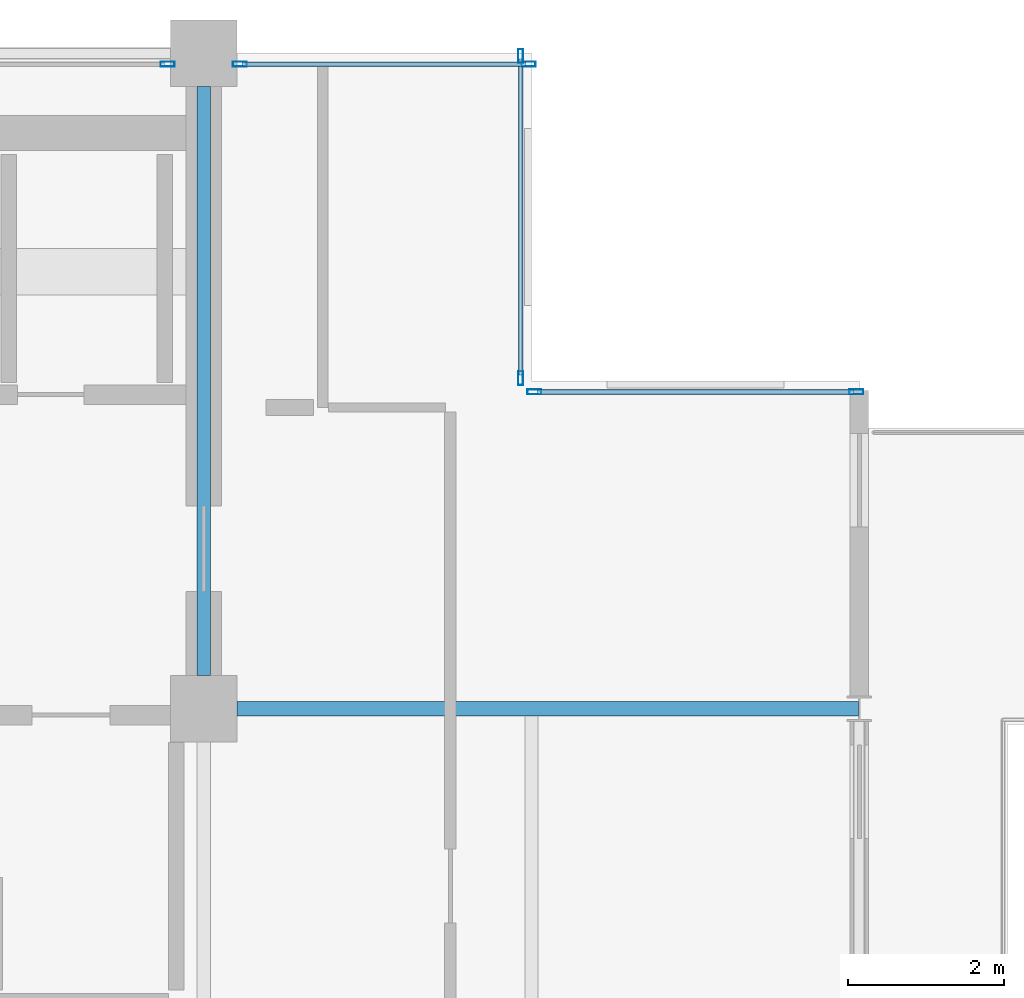
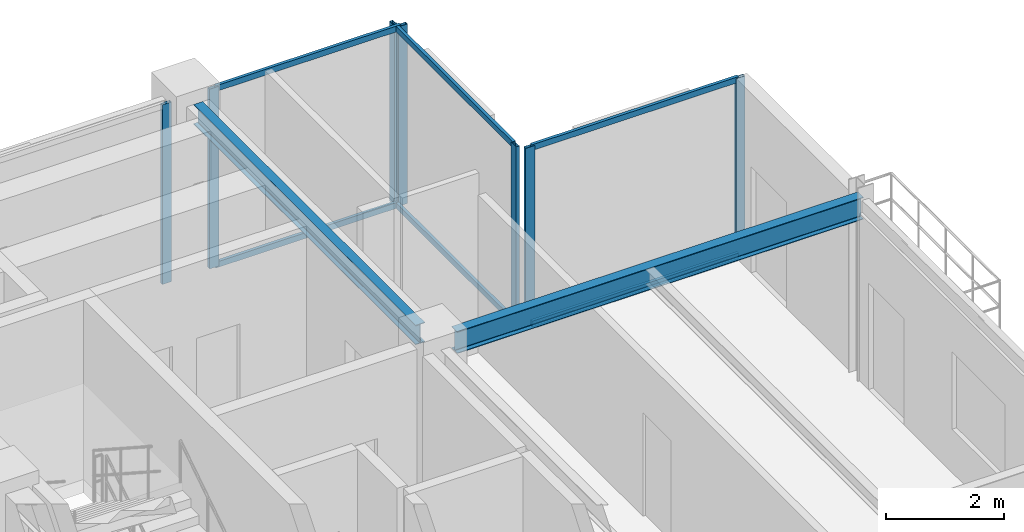
# One storey, part 19 of 26: 13 members, 2 beams, 4 elements without a shape of their own.
"""IFC4 building model written with IfcOpenShell, lengths in metres."""

from ifc_helpers import new_model, si_unit, direction, frame, origin, origin_2d, place, context, subcontext, project, spatial, hollow_rectangle, i_section, extrude, material, layer, layer_set, material_profile, profile_set, type_object, element, aggregate, save


model = new_model("IFC4")

# Units and contexts
model_context = context("Model", 3, precision=1e-05, world=origin(), true_north=direction((0.0, 1.0)))
body_context = subcontext(model_context, "Body", "Model", "MODEL_VIEW")
ifc_project = project(units=[si_unit("LENGTHUNIT", "METRE"), si_unit("AREAUNIT", "SQUARE_METRE"), si_unit("VOLUMEUNIT", "CUBIC_METRE"), si_unit("PLANEANGLEUNIT", "RADIAN"), si_unit("MASSUNIT", "GRAM", prefix="KILO")], contexts=[model_context])

# Site, building, storey
site_placement = place(None, origin())
site = spatial("IfcSite", under=ifc_project, at=site_placement, CompositionType="ELEMENT")
building_placement = place(site_placement, origin())
building = spatial("IfcBuilding", under=site, at=building_placement, Name="Nerrivon Quay Data Exchange", CompositionType="ELEMENT")
storey_placement = place(building_placement, frame((0.0, 0.0, 258.199951171875)))
storey = spatial("IfcBuildingStorey", under=building, at=storey_placement, Name="L61", CompositionType="ELEMENT", Elevation=258.199951171875)

# Beams
ifc_material_1 = material(Name="Steel Grade 350", Category="steel")
ifc_material_profile_1 = material_profile(ifc_material_1, i_section(OverallWidth=0.18994140625, OverallDepth=0.4541015625, WebThickness=0.008544921875, FlangeThickness=0.0126953125, FilletRadius=0.011474609375, at=origin_2d()), Name="460UB67.1")
ifc_profile_set_1 = profile_set([ifc_material_profile_1], Name="Steel Grade 350")
beam_type_1 = type_object("IfcBeamType", Name="BM-G6-460UB67", PredefinedType="BEAM", material=ifc_profile_set_1)
beam_1_placement = place(storey_placement, frame((17.22509765625, 33.60009765625, 3.498046875), z_axis=(1.0, 0.0, 0.0), x_axis=(0.0, 1.0, 0.0)))
element("IfcBeam", 1, at=beam_1_placement, inside=storey, type_object=beam_type_1, Name="L61 EW Girder Y=33.6 (16.8..25.2)", PredefinedType="BEAM", context=body_context, shape_type="SweptSolid", body=[
    extrude(i_section(OverallWidth=0.18994140625, OverallDepth=0.4541015625, WebThickness=0.008544921875, FlangeThickness=0.0126953125, FilletRadius=0.011474609375, at=origin_2d()), origin(), (0.0, 0.0, 1.0), 7.967041015625),
])
ifc_material_profile_2 = material_profile(ifc_material_1, i_section(OverallWidth=0.177978515625, OverallDepth=0.406005859375, WebThickness=0.0078125, FlangeThickness=0.0126953125, FilletRadius=0.011474609375, at=origin_2d()), Name="410UB59.7")
ifc_profile_set_2 = profile_set([ifc_material_profile_2], Name="Steel Grade 350")
beam_type_2 = type_object("IfcBeamType", Name="BM-J1-410UB60", PredefinedType="JOIST", material=ifc_profile_set_2)
beam_2_placement = place(storey_placement, frame((16.800048828125, 34.02490234375, 3.52197265625), z_axis=(0.0, 1.0, 0.0), x_axis=(-1.0, 0.0, 0.0)))
element("IfcBeam", 2, at=beam_2_placement, inside=storey, type_object=beam_type_2, Name="L61 NS Girder X=16.8 (33.6..42.0)", PredefinedType="JOIST", context=body_context, shape_type="SweptSolid", body=[
    extrude(i_section(OverallWidth=0.177978515625, OverallDepth=0.406005859375, WebThickness=0.0078125, FlangeThickness=0.0126953125, FilletRadius=0.011474609375, at=origin_2d()), origin(), (0.0, 0.0, 1.0), 7.550048828125),
])

# Curtain wall, member
ifc_material_2 = material(Name="Anodised aluminium 6063-T6", Category="aluminium")
ifc_layer = layer(ifc_material_2, 0.195068359375)
ifc_layer_set = layer_set([ifc_layer], Name="Anodised aluminium 6063-T6")
curtain_wall_type = type_object("IfcCurtainWallType", Name="CW-SYS-06", PredefinedType="NOTDEFINED", material=ifc_layer_set)
curtain_wall_1_placement = place(storey_placement, origin())
curtain_wall_1 = element("IfcCurtainWall", 3, at=curtain_wall_1_placement, inside=storey, type_object=curtain_wall_type, Name="L61 Unitised Curtain Wall 18", PredefinedType="NOTDEFINED")
ifc_material_profile_3 = material_profile(ifc_material_2, hollow_rectangle(XDim=0.06494140625, YDim=0.179931640625, WallThickness=0.00341796875, at=origin_2d()), Name="ALU-MULL-180x65")
ifc_profile_set_3 = profile_set([ifc_material_profile_3], Name="Anodised aluminium 6063-T6")
member_type_1 = type_object("IfcMemberType", Name="CWM-180x65", PredefinedType="MULLION", material=ifc_profile_set_3)
member_1_placement = place(storey_placement, frame((16.33740234375, 41.860107421875, 0.0), z_axis=(0.0, 0.0, 1.0), x_axis=(0.0, 1.0, 0.0)))
member_1 = element("IfcMember", 4, at=member_1_placement, type_object=member_type_1, Name="CW06 mullion 2", PredefinedType="MULLION", context=body_context, shape_type="SweptSolid", body=[
    extrude(hollow_rectangle(XDim=0.06494140625, YDim=0.179931640625, WallThickness=0.00341796875, at=origin_2d()), origin(), (0.0, 0.0, 1.0), 3.72509765625),
])
aggregate(curtain_wall_1, [member_1])

# Curtain wall, members
curtain_wall_2_placement = place(storey_placement, origin())
curtain_wall_2 = element("IfcCurtainWall", 5, at=curtain_wall_2_placement, inside=storey, type_object=curtain_wall_type, Name="L61 Unitised Curtain Wall 19", PredefinedType="NOTDEFINED")
member_2_placement = place(storey_placement, frame((17.262451171875, 41.860107421875, 0.0), z_axis=(0.0, 0.0, 1.0), x_axis=(0.0, 1.0, 0.0)))
member_2 = element("IfcMember", 6, at=member_2_placement, type_object=member_type_1, Name="CW06 mullion 1", PredefinedType="MULLION", context=body_context, shape_type="SweptSolid", body=[
    extrude(hollow_rectangle(XDim=0.06494140625, YDim=0.179931640625, WallThickness=0.00341796875, at=origin_2d()), origin(), (0.0, 0.0, 1.0), 3.72509765625),
])
member_3_placement = place(storey_placement, frame((20.96240234375, 41.860107421875, 0.0), z_axis=(0.0, 0.0, 1.0), x_axis=(0.0, 1.0, 0.0)))
member_3 = element("IfcMember", 7, at=member_3_placement, type_object=member_type_1, Name="CW06 mullion 2", PredefinedType="MULLION", context=body_context, shape_type="SweptSolid", body=[
    extrude(hollow_rectangle(XDim=0.06494140625, YDim=0.179931640625, WallThickness=0.00341796875, at=origin_2d()), origin(), (0.0, 0.0, 1.0), 3.72509765625),
])

curtain_wall_3_placement = place(storey_placement, origin())
curtain_wall_3 = element("IfcCurtainWall", 8, at=curtain_wall_3_placement, inside=storey, type_object=curtain_wall_type, Name="L61 Unitised Curtain Wall 20", PredefinedType="NOTDEFINED")
member_4_placement = place(storey_placement, frame((20.860107421875, 41.96240234375, 0.0), z_axis=(0.0, 0.0, 1.0), x_axis=(1.0, 0.0, 0.0)))
member_4 = element("IfcMember", 9, at=member_4_placement, type_object=member_type_1, Name="CW06 mullion 1", PredefinedType="MULLION", context=body_context, shape_type="SweptSolid", body=[
    extrude(hollow_rectangle(XDim=0.06494140625, YDim=0.179931640625, WallThickness=0.00341796875, at=origin_2d()), origin(), (0.0, 0.0, 1.0), 3.72509765625),
])
member_5_placement = place(storey_placement, frame((20.860107421875, 37.83740234375, 0.0), z_axis=(0.0, 0.0, 1.0), x_axis=(1.0, 0.0, 0.0)))
member_5 = element("IfcMember", 10, at=member_5_placement, type_object=member_type_1, Name="CW06 mullion 2", PredefinedType="MULLION", context=body_context, shape_type="SweptSolid", body=[
    extrude(hollow_rectangle(XDim=0.06494140625, YDim=0.179931640625, WallThickness=0.00341796875, at=origin_2d()), origin(), (0.0, 0.0, 1.0), 3.72509765625),
])

curtain_wall_4_placement = place(storey_placement, origin())
curtain_wall_4 = element("IfcCurtainWall", 11, at=curtain_wall_4_placement, inside=storey, type_object=curtain_wall_type, Name="L61 Unitised Curtain Wall 21", PredefinedType="NOTDEFINED")
member_6_placement = place(storey_placement, frame((21.03759765625, 37.659912109375, 0.0), z_axis=(0.0, 0.0, 1.0), x_axis=(0.0, 1.0, 0.0)))
member_6 = element("IfcMember", 12, at=member_6_placement, type_object=member_type_1, Name="CW06 mullion 1", PredefinedType="MULLION", context=body_context, shape_type="SweptSolid", body=[
    extrude(hollow_rectangle(XDim=0.06494140625, YDim=0.179931640625, WallThickness=0.00341796875, at=origin_2d()), origin(), (0.0, 0.0, 1.0), 3.72509765625),
])
member_7_placement = place(storey_placement, frame((25.16259765625, 37.659912109375, 0.0), z_axis=(0.0, 0.0, 1.0), x_axis=(0.0, 1.0, 0.0)))
member_7 = element("IfcMember", 13, at=member_7_placement, type_object=member_type_1, Name="CW06 mullion 2", PredefinedType="MULLION", context=body_context, shape_type="SweptSolid", body=[
    extrude(hollow_rectangle(XDim=0.06494140625, YDim=0.179931640625, WallThickness=0.00341796875, at=origin_2d()), origin(), (0.0, 0.0, 1.0), 3.72509765625),
])

# Member
ifc_material_profile_4 = material_profile(ifc_material_2, hollow_rectangle(XDim=0.06005859375, YDim=0.1201171875, WallThickness=0.003173828125, at=origin_2d()), Name="ALU-TRAN-120x60")
ifc_profile_set_4 = profile_set([ifc_material_profile_4], Name="Anodised aluminium 6063-T6")
member_type_2 = type_object("IfcMemberType", Name="CWT-120x60", PredefinedType="USERDEFINED", material=ifc_profile_set_4)
member_8_placement = place(storey_placement, frame((17.300048828125, 41.860107421875, 0.032470703125), z_axis=(1.0, 0.0, 0.0), x_axis=(0.0, 1.0, 0.0)))
member_8 = element("IfcMember", 14, at=member_8_placement, type_object=member_type_2, Name="CW06 transom 1.1", ObjectType="TRANSOM", PredefinedType="USERDEFINED", context=body_context, shape_type="SweptSolid", body=[
    extrude(hollow_rectangle(XDim=0.06005859375, YDim=0.1201171875, WallThickness=0.003173828125, at=origin_2d()), origin(), (0.0, 0.0, 1.0), 3.625),
])

member_9_placement = place(storey_placement, frame((17.300048828125, 41.860107421875, 3.692626953125), z_axis=(1.0, 0.0, 0.0), x_axis=(0.0, 1.0, 0.0)))
member_9 = element("IfcMember", 15, at=member_9_placement, type_object=member_type_2, Name="CW06 transom 1.2", ObjectType="TRANSOM", PredefinedType="USERDEFINED", context=body_context, shape_type="SweptSolid", body=[
    extrude(hollow_rectangle(XDim=0.06005859375, YDim=0.1201171875, WallThickness=0.003173828125, at=origin_2d()), origin(), (0.0, 0.0, 1.0), 3.625),
])

aggregate(curtain_wall_2, [member_2, member_3, member_8, member_9])

member_10_placement = place(storey_placement, frame((20.860107421875, 41.925048828125, 0.032470703125), z_axis=(0.0, -1.0, 0.0), x_axis=(1.0, 0.0, 0.0)))
member_10 = element("IfcMember", 16, at=member_10_placement, type_object=member_type_2, Name="CW06 transom 1.1", ObjectType="TRANSOM", PredefinedType="USERDEFINED", context=body_context, shape_type="SweptSolid", body=[
    extrude(hollow_rectangle(XDim=0.06005859375, YDim=0.1201171875, WallThickness=0.003173828125, at=origin_2d()), origin(), (0.0, 0.0, 1.0), 4.050048828125),
])

member_11_placement = place(storey_placement, frame((20.860107421875, 41.925048828125, 3.692626953125), z_axis=(0.0, -1.0, 0.0), x_axis=(1.0, 0.0, 0.0)))
member_11 = element("IfcMember", 17, at=member_11_placement, type_object=member_type_2, Name="CW06 transom 1.2", ObjectType="TRANSOM", PredefinedType="USERDEFINED", context=body_context, shape_type="SweptSolid", body=[
    extrude(hollow_rectangle(XDim=0.06005859375, YDim=0.1201171875, WallThickness=0.003173828125, at=origin_2d()), origin(), (0.0, 0.0, 1.0), 4.050048828125),
])

aggregate(curtain_wall_3, [member_4, member_5, member_10, member_11])

member_12_placement = place(storey_placement, frame((21.074951171875, 37.659912109375, 0.032470703125), z_axis=(1.0, 0.0, 0.0), x_axis=(0.0, 1.0, 0.0)))
member_12 = element("IfcMember", 18, at=member_12_placement, type_object=member_type_2, Name="CW06 transom 1.1", ObjectType="TRANSOM", PredefinedType="USERDEFINED", context=body_context, shape_type="SweptSolid", body=[
    extrude(hollow_rectangle(XDim=0.06005859375, YDim=0.1201171875, WallThickness=0.003173828125, at=origin_2d()), origin(), (0.0, 0.0, 1.0), 4.050048828125),
])

member_13_placement = place(storey_placement, frame((21.074951171875, 37.659912109375, 3.692626953125), z_axis=(1.0, 0.0, 0.0), x_axis=(0.0, 1.0, 0.0)))
member_13 = element("IfcMember", 19, at=member_13_placement, type_object=member_type_2, Name="CW06 transom 1.2", ObjectType="TRANSOM", PredefinedType="USERDEFINED", context=body_context, shape_type="SweptSolid", body=[
    extrude(hollow_rectangle(XDim=0.06005859375, YDim=0.1201171875, WallThickness=0.003173828125, at=origin_2d()), origin(), (0.0, 0.0, 1.0), 4.050048828125),
])

aggregate(curtain_wall_4, [member_6, member_7, member_12, member_13])

save(model, "model.ifc")
